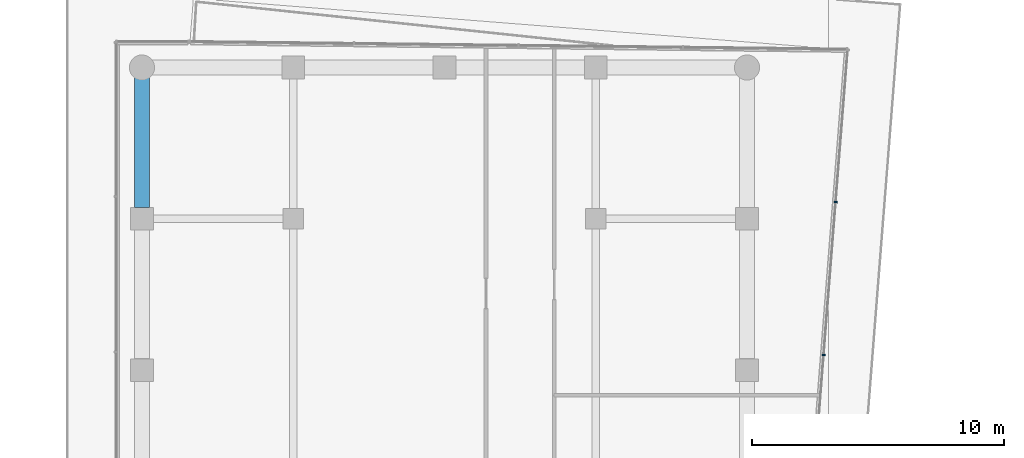
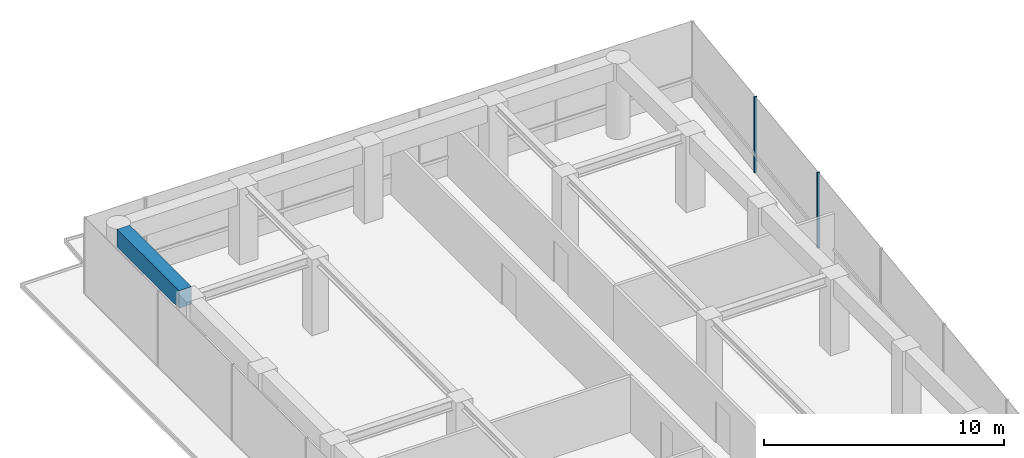
# One storey, part 17 of 24: 2 members, 1 beam, 1 element without a shape of its own.
"""IFC4 building model written with IfcOpenShell, lengths in metres."""

import ifcopenshell
import ifcopenshell.guid

model = None  # the IFC model being written
_history = None  # IfcOwnerHistory: only IFC2X3 demands one
_inside = {}  # id of a spatial element -> (the spatial element, [elements in it])
_under = {}  # id of a project, library or spatial element -> (it, [spatial elements below it])
_declared = {}  # id of a project -> (the project, [libraries it declares])
_typed = {}  # id of a type object -> (the type object, [elements of that type])
_made_of = {}  # id of a material, layer set ... -> (it, [elements and type objects made of it])


def new_model(schema):
    """Start an empty IFC model of exactly this schema.

    Asked for "IFC4X3", IfcOpenShell would pick the latest addendum, in which some entities
    have other attributes; the version numbers below select the first issue.
    IFC2X3 requires an IfcOwnerHistory on every rooted entity: one is made here for all.
    """
    global model, _history
    if schema == "IFC4X3":
        model = ifcopenshell.file(schema_version=(4, 3, 0, 0))
    else:
        model = ifcopenshell.file(schema=schema)
    _inside.clear()
    _under.clear()
    _declared.clear()
    _typed.clear()
    _made_of.clear()
    _history = None
    if model.schema == "IFC2X3":
        org = make("IfcOrganization", Name="unknown")
        user = make(
            "IfcPersonAndOrganization",
            ThePerson=make("IfcPerson", FamilyName="unknown"),
            TheOrganization=org,
        )
        app = make(
            "IfcApplication",
            ApplicationDeveloper=org,
            Version="unknown",
            ApplicationFullName="unknown",
            ApplicationIdentifier="unknown",
        )
        _history = make(
            "IfcOwnerHistory",
            OwningUser=user,
            OwningApplication=app,
            ChangeAction="ADDED",
            CreationDate=0,
        )
    return model


def make(cls, **values):
    """One entity of the class cls with the attributes given. An attribute that is None is left unset."""
    return model.create_entity(
        cls, **{name: value for name, value in values.items() if value is not None}
    )


def rooted(cls, **values):
    """An entity with a GlobalId (a new one), such as an element, a storey or a relation."""
    return make(cls, GlobalId=ifcopenshell.guid.new(), OwnerHistory=_history, **values)


def si_unit(unit_type, name, prefix=None):
    """IfcSIUnit, for example si_unit("LENGTHUNIT", "METRE", prefix="MILLI")."""
    return make("IfcSIUnit", UnitType=unit_type, Prefix=prefix, Name=name)


def assignment(units):
    """IfcUnitAssignment: the units of a project."""
    return None if units is None else make("IfcUnitAssignment", Units=units)


def point(xyz):
    """IfcCartesianPoint."""
    return None if xyz is None else make("IfcCartesianPoint", Coordinates=xyz)


def direction(xyz):
    """IfcDirection."""
    return None if xyz is None else make("IfcDirection", DirectionRatios=xyz)


def frame(location, z_axis=None, x_axis=None):
    """IfcAxis2Placement3D, a coordinate frame: its origin and axes. An axis left out is left unset."""
    return make(
        "IfcAxis2Placement3D",
        Location=point(location),
        Axis=direction(z_axis),
        RefDirection=direction(x_axis),
    )


def frame_2d(location, x_axis=None):
    """IfcAxis2Placement2D, a coordinate frame in the plane: its origin and x axis."""
    return make(
        "IfcAxis2Placement2D", Location=point(location), RefDirection=direction(x_axis)
    )


def origin():
    """The frame at (0, 0, 0) with its axes left unset."""
    return frame((0.0, 0.0, 0.0))


def origin_2d():
    """The frame at (0, 0) in the plane with its x axis left unset."""
    return frame_2d((0.0, 0.0))


def place(relative_to, where):
    """IfcLocalPlacement: puts the frame where relative to a parent placement (None: the world)."""
    return make(
        "IfcLocalPlacement", PlacementRelTo=relative_to, RelativePlacement=where
    )


def context(
    kind, dimensions, precision=None, world=None, true_north=None, identifier=None
):
    """IfcGeometricRepresentationContext, for example the 3D "Model" context."""
    return make(
        "IfcGeometricRepresentationContext",
        ContextIdentifier=identifier,
        ContextType=kind,
        CoordinateSpaceDimension=dimensions,
        Precision=precision,
        WorldCoordinateSystem=world,
        TrueNorth=true_north,
    )


def subcontext(parent, identifier, kind, view, scale=None):
    """IfcGeometricRepresentationSubContext, for example "Body" below "Model"."""
    return make(
        "IfcGeometricRepresentationSubContext",
        ContextIdentifier=identifier,
        ContextType=kind,
        ParentContext=parent,
        TargetScale=scale,
        TargetView=view,
    )


def project(units=None, contexts=None):
    """IfcProject with its units and contexts."""
    return rooted(
        "IfcProject",
        Name="project",
        RepresentationContexts=contexts,
        UnitsInContext=assignment(units),
    )


def spatial(cls, under=None, at=None, **own):
    """A site, building, storey or space (cls), placed at a placement, below another one or the project."""
    s = rooted(cls, ObjectPlacement=at, **own)
    if under is not None:
        _under.setdefault(under.id(), (under, []))[1].append(s)
    return s


def profile(cls, at=None, kind="AREA", **sizes):
    """A parametric profile (cls). Its sizes go by their IFC names, for example OverallWidth=200.0."""
    return make(cls, ProfileType=kind, Position=at, **sizes)


def rectangle(**sizes):
    """IfcRectangleProfileDef."""
    return profile("IfcRectangleProfileDef", **sizes)


def extrude(swept, where, along, depth):
    """IfcExtrudedAreaSolid: the profile swept, set in the frame where, extruded along a direction by depth."""
    return make(
        "IfcExtrudedAreaSolid",
        SweptArea=swept,
        Position=where,
        ExtrudedDirection=direction(along),
        Depth=depth,
    )


def shape(context_of_items, identifier, shape_type, items):
    """IfcShapeRepresentation: the items that make up one representation, for example the "Body"."""
    return make(
        "IfcShapeRepresentation",
        ContextOfItems=context_of_items,
        RepresentationIdentifier=identifier,
        RepresentationType=shape_type,
        Items=items,
    )


def material(Name=None, Category=None):
    """IfcMaterial."""
    return make("IfcMaterial", Name=Name, Category=Category)


def layer(
    of_material, thickness, ventilated=None, Name=None, Category=None, Priority=None
):
    """IfcMaterialLayer: one layer of a wall or slab, of a material (None: an air gap)."""
    return make(
        "IfcMaterialLayer",
        Material=of_material,
        LayerThickness=thickness,
        IsVentilated=ventilated,
        Name=Name,
        Category=Category,
        Priority=Priority,
    )


def layer_set(layers, Name=None):
    """IfcMaterialLayerSet."""
    return make("IfcMaterialLayerSet", MaterialLayers=layers, LayerSetName=Name)


def material_profile(
    of_material, cross_section, Name=None, Category=None, Priority=None
):
    """IfcMaterialProfile: a cross section and its material."""
    return make(
        "IfcMaterialProfile",
        Name=Name,
        Material=of_material,
        Profile=cross_section,
        Priority=Priority,
        Category=Category,
    )


def profile_set(profiles, Name=None, composite=None):
    """IfcMaterialProfileSet."""
    return make(
        "IfcMaterialProfileSet",
        Name=Name,
        MaterialProfiles=profiles,
        CompositeProfile=composite,
    )


def made_of(thing, what):
    """Note that an element or type object is made of a material, layer set ...; save() writes the relation."""
    if what is not None:
        _made_of.setdefault(what.id(), (what, []))[1].append(thing)
    return thing


def type_object(cls, material=None, **own):
    """A type object (cls), such as IfcWallType, which elements share."""
    return made_of(rooted(cls, **own), material)


def element(
    cls,
    number,
    at=None,
    inside=None,
    cuts=None,
    type_object=None,
    material=None,
    context=None,
    identifier="Body",
    shape_type=None,
    held_by="IfcProductDefinitionShape",
    body=None,
    shapes=None,
    **own,
):
    """One element of the class cls, such as IfcWall. Its Tag is "e" and its number.

    at: its placement. inside: the storey or other place that contains it. cuts: it is an
    opening in that element (IfcRelVoidsElement). A single representation is given by context,
    identifier, shape_type and body (its items); several are given by shapes. held_by: the class
    of the entity that holds the representations. save() writes the other relations.
    """
    e = rooted(cls, Tag="e%d" % number, ObjectPlacement=at, **own)
    if body is not None:
        shapes = [shape(context, identifier, shape_type, body)]
    if shapes is not None:
        e.Representation = make(held_by, Representations=shapes)
    if inside is not None:
        _inside.setdefault(inside.id(), (inside, []))[1].append(e)
    if cuts is not None:
        rooted(
            "IfcRelVoidsElement", RelatingBuildingElement=cuts, RelatedOpeningElement=e
        )
    if type_object is not None:
        _typed.setdefault(type_object.id(), (type_object, []))[1].append(e)
    return made_of(e, material)


def aggregate(whole, parts):
    """IfcRelAggregates: a whole, such as a stair, and the parts it consists of."""
    return rooted("IfcRelAggregates", RelatingObject=whole, RelatedObjects=parts)


def save(model, path):
    """Write the relations noted so far, then the file.

    IfcRelAggregates (storeys below a building ...), IfcRelContainedInSpatialStructure (elements
    in a storey), IfcRelDefinesByType, IfcRelAssociatesMaterial and IfcRelDeclares: one each for
    every whole, place, type object, material and project.
    """
    for whole, parts in _under.values():
        aggregate(whole, parts)
    for where, things in _inside.values():
        rooted(
            "IfcRelContainedInSpatialStructure",
            RelatedElements=things,
            RelatingStructure=where,
        )
    for kind, things in _typed.values():
        rooted("IfcRelDefinesByType", RelatedObjects=things, RelatingType=kind)
    for what, things in _made_of.values():
        rooted("IfcRelAssociatesMaterial", RelatedObjects=things, RelatingMaterial=what)
    for by, libraries in _declared.values():
        rooted("IfcRelDeclares", RelatingContext=by, RelatedDefinitions=libraries)
    model.write(path)


model = new_model("IFC4")

# Units and contexts
model_context = context("Model", 3, precision=1e-05, world=origin(), true_north=direction((0.0, 1.0)))
body_context = subcontext(model_context, "Body", "Model", "MODEL_VIEW")
ifc_project = project(units=[si_unit("LENGTHUNIT", "METRE"), si_unit("AREAUNIT", "SQUARE_METRE"), si_unit("VOLUMEUNIT", "CUBIC_METRE"), si_unit("PLANEANGLEUNIT", "RADIAN"), si_unit("MASSUNIT", "GRAM", prefix="KILO")], contexts=[model_context])

# Site, building, storey
site_placement = place(None, origin())
site = spatial("IfcSite", under=ifc_project, at=site_placement, CompositionType="ELEMENT")
building_placement = place(site_placement, origin())
building = spatial("IfcBuilding", under=site, at=building_placement, Name="Welwitschia Terrace Campus", CompositionType="ELEMENT")
storey_placement = place(building_placement, frame((0.0, 0.0, 129.800048828125)))
storey = spatial("IfcBuildingStorey", under=building, at=storey_placement, Name="L29", CompositionType="ELEMENT", Elevation=129.800048828125)

# Curtain wall, members
ifc_material_1 = material(Name="Bronze anodised aluminium", Category="aluminium")
ifc_layer = layer(ifc_material_1, 0.1201171875)
ifc_layer_set = layer_set([ifc_layer], Name="Bronze anodised aluminium")
curtain_wall_type = type_object("IfcCurtainWallType", Name="Curtain wall CW2 tower 6000", PredefinedType="NOTDEFINED", material=ifc_layer_set)
curtain_wall_placement = place(storey_placement, origin())
curtain_wall = element("IfcCurtainWall", 1, at=curtain_wall_placement, inside=storey, type_object=curtain_wall_type, Name="CW L29.10.0", PredefinedType="NOTDEFINED")
ifc_material_2 = material(Name="Bronze anodised aluminium", Category="aluminium")
ifc_material_profile_1 = material_profile(ifc_material_2, rectangle(XDim=0.1201171875, YDim=0.06005859375, at=origin_2d()))
ifc_profile_set_1 = profile_set([ifc_material_profile_1], Name="Bronze anodised aluminium")
member_type = type_object("IfcMemberType", Name="Mullion 60x120", PredefinedType="MULLION", material=ifc_profile_set_1)
member_1_placement = place(storey_placement, frame((27.03759765625, 58.595458984375, 0.0), z_axis=(0.0, 0.0, 1.0), x_axis=(-0.996917333733, 0.078459095728, 0.0)))
member_1 = element("IfcMember", 2, at=member_1_placement, type_object=member_type, Name="Mullion L29.10.0.4", PredefinedType="MULLION", context=body_context, shape_type="SweptSolid", body=[
    extrude(rectangle(XDim=0.1201171875, YDim=0.06005859375, at=origin_2d()), origin(), (0.0, 0.0, 1.0), 3.849853515625),
])
member_2_placement = place(storey_placement, frame((27.514892578125, 64.662109375, 0.0), z_axis=(0.0, 0.0, 1.0), x_axis=(-0.996917333733, 0.078459095728, 0.0)))
member_2 = element("IfcMember", 3, at=member_2_placement, type_object=member_type, Name="Mullion L29.10.0.5", PredefinedType="MULLION", context=body_context, shape_type="SweptSolid", body=[
    extrude(rectangle(XDim=0.1201171875, YDim=0.06005859375, at=origin_2d()), origin(), (0.0, 0.0, 1.0), 3.849853515625),
])
aggregate(curtain_wall, [member_1, member_2])

# Beam
ifc_material_3 = material(Name="Concrete C60/75", Category="concrete")
ifc_material_profile_2 = material_profile(ifc_material_3, rectangle(XDim=0.60009765625, YDim=0.89990234375, at=origin_2d()))
ifc_profile_set_2 = profile_set([ifc_material_profile_2], Name="Concrete C60/75")
beam_type = type_object("IfcBeamType", Name="Ring spandrel 600x900", PredefinedType="SPANDREL", material=ifc_profile_set_2)
beam_placement = place(storey_placement, frame((0.0, 69.599609375, 3.39990234375), z_axis=(0.0, -1.0, 0.0), x_axis=(1.0, 0.0, 0.0)))
element("IfcBeam", 4, at=beam_placement, inside=storey, type_object=beam_type, Name="Spandrel SP2", PredefinedType="SPANDREL", context=body_context, shape_type="SweptSolid", body=[
    extrude(rectangle(XDim=0.60009765625, YDim=0.89990234375, at=origin_2d()), origin(), (0.0, 0.0, 1.0), 5.149169921875),
])

save(model, "model.ifc")
